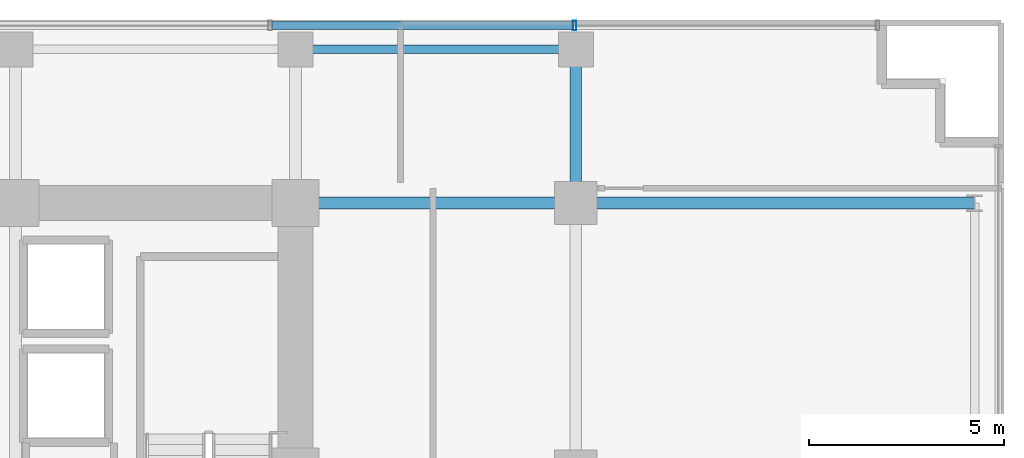
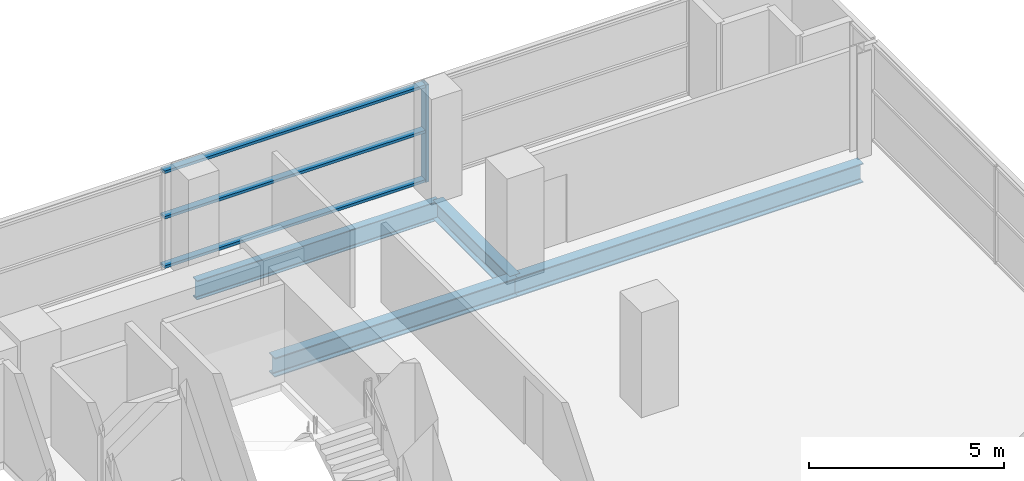
# One storey, part 21 of 31: 4 beams, 4 members, 1 element without a shape of its own.
"""IFC4 building model written with IfcOpenShell, lengths in metres."""

from ifc_helpers import new_model, si_unit, direction, frame, origin, origin_2d, place, context, subcontext, project, spatial, hollow_rectangle, i_section, extrude, source, transform, mapped, material, layer, layer_set, material_profile, profile_set, type_object, element, aggregate, save


model = new_model("IFC4")

# Units and contexts
model_context = context("Model", 3, precision=1e-05, world=origin(), true_north=direction((0.0, 1.0)))
body_context = subcontext(model_context, "Body", "Model", "MODEL_VIEW")
ifc_project = project(units=[si_unit("LENGTHUNIT", "METRE"), si_unit("AREAUNIT", "SQUARE_METRE"), si_unit("VOLUMEUNIT", "CUBIC_METRE"), si_unit("PLANEANGLEUNIT", "RADIAN"), si_unit("MASSUNIT", "GRAM", prefix="KILO")], contexts=[model_context])

# Site, building, storey
site_placement = place(None, origin())
site = spatial("IfcSite", under=ifc_project, at=site_placement, CompositionType="ELEMENT")
building_placement = place(site_placement, origin())
building = spatial("IfcBuilding", under=site, at=building_placement, Name="Zarnakvel Exchange Tower", CompositionType="ELEMENT")
storey_placement = place(building_placement, frame((0.0, 0.0, 60.39990234375)))
storey = spatial("IfcBuildingStorey", under=building, at=storey_placement, Name="L16", CompositionType="ELEMENT", Elevation=60.39990234375)

# Beams
ifc_material_1 = material(Name="Steel S355", Category="steel")
ifc_material_profile_1 = material_profile(ifc_material_1, i_section(OverallWidth=0.300048828125, OverallDepth=0.60009765625, WebThickness=0.015380859375, FlangeThickness=0.030029296875, FilletRadius=0.027099609375, at=origin_2d()))
ifc_profile_set_1 = profile_set([ifc_material_profile_1], Name="Steel S355")
beam_type_1 = type_object("IfcBeamType", Name="G-04", PredefinedType="BEAM", material=ifc_profile_set_1)
beam_1_placement = place(storey_placement, frame((14.39990234375, 13.5, -0.52490234375), z_axis=(1.0, 0.0, 0.0), x_axis=(0.0, 1.0, 0.0)))
element("IfcBeam", 1, at=beam_1_placement, inside=storey, type_object=beam_type_1, Name="L16 Tower E-W Frame Beam", PredefinedType="BEAM", context=body_context, shape_type="SweptSolid", body=[
    extrude(i_section(OverallWidth=0.300048828125, OverallDepth=0.60009765625, WebThickness=0.015380859375, FlangeThickness=0.030029296875, FilletRadius=0.027099609375, at=origin_2d()), origin(), (0.0, 0.0, 1.0), 7.2001953125),
])
beam_2_placement = place(storey_placement, frame((21.60009765625, 13.5, -0.52490234375), z_axis=(1.0, 0.0, 0.0), x_axis=(0.0, 1.0, 0.0)))
element("IfcBeam", 2, at=beam_2_placement, inside=storey, type_object=beam_type_1, Name="L16 Tower E-W Frame Beam", PredefinedType="BEAM", context=body_context, shape_type="SweptSolid", body=[
    extrude(i_section(OverallWidth=0.300048828125, OverallDepth=0.60009765625, WebThickness=0.015380859375, FlangeThickness=0.030029296875, FilletRadius=0.027099609375, at=origin_2d()), origin(), (0.0, 0.0, 1.0), 10.25),
])
beam_3_placement = place(storey_placement, frame((21.60009765625, 13.5, -0.52490234375), z_axis=(0.0, 1.0, 0.0), x_axis=(-1.0, 0.0, 0.0)))
element("IfcBeam", 3, at=beam_3_placement, inside=storey, type_object=beam_type_1, Name="L16 Tower N-S Frame Beam", PredefinedType="BEAM", context=body_context, shape_type="SweptSolid", body=[
    extrude(i_section(OverallWidth=0.300048828125, OverallDepth=0.60009765625, WebThickness=0.015380859375, FlangeThickness=0.030029296875, FilletRadius=0.027099609375, at=origin_2d()), origin(), (0.0, 0.0, 1.0), 3.949951171875),
])
ifc_material_profile_2 = material_profile(ifc_material_1, i_section(OverallWidth=0.219970703125, OverallDepth=0.60009765625, WebThickness=0.011962890625, FlangeThickness=0.01904296875, FilletRadius=0.02392578125, at=origin_2d()))
ifc_profile_set_2 = profile_set([ifc_material_profile_2], Name="Steel S355")
beam_type_2 = type_object("IfcBeamType", Name="SP-01", PredefinedType="SPANDREL", material=ifc_profile_set_2)
beam_4_placement = place(storey_placement, frame((14.39990234375, 17.449951171875, -0.52490234375), z_axis=(1.0, 0.0, 0.0), x_axis=(0.0, 1.0, 0.0)))
element("IfcBeam", 4, at=beam_4_placement, inside=storey, type_object=beam_type_2, Name="L16 Tower E-W Frame Beam", PredefinedType="SPANDREL", context=body_context, shape_type="SweptSolid", body=[
    extrude(i_section(OverallWidth=0.219970703125, OverallDepth=0.60009765625, WebThickness=0.011962890625, FlangeThickness=0.01904296875, FilletRadius=0.02392578125, at=origin_2d()), origin(), (0.0, 0.0, 1.0), 7.2001953125),
])

# Curtain wall, members
ifc_material_2 = material(Name="Architectural Bronze Anodised Aluminium", Category="aluminium")
ifc_layer = layer(ifc_material_2, 0.239990234375)
ifc_layer_set = layer_set([ifc_layer], Name="Architectural Bronze Anodised Aluminium")
curtain_wall_type = type_object("IfcCurtainWallType", Name="CW-02", PredefinedType="NOTDEFINED", material=ifc_layer_set)
curtain_wall_placement = place(storey_placement, origin())
curtain_wall = element("IfcCurtainWall", 5, at=curtain_wall_placement, inside=storey, type_object=curtain_wall_type, Name="L16 Curtain Wall CW-L16-N1 (CW-02)", PredefinedType="NOTDEFINED")
ifc_material_profile_3 = material_profile(ifc_material_2, hollow_rectangle(XDim=0.239990234375, YDim=0.090087890625, WallThickness=0.006103515625, at=origin_2d()))
ifc_profile_set_3 = profile_set([ifc_material_profile_3], Name="Architectural Bronze Anodised Aluminium")
member_type_1 = type_object("IfcMemberType", Name="CWM-02", PredefinedType="MULLION", material=ifc_profile_set_3)
shared_shape_1 = source(origin(), body_context, "Body", "SweptSolid", [
    extrude(hollow_rectangle(XDim=0.239990234375, YDim=0.090087890625, WallThickness=0.006103515625, at=origin_2d()), origin(), (0.0, 0.0, 1.0), 3.05517578125),
])
member_1_placement = place(storey_placement, frame((21.571533203125, 18.06005859375, 0.0), z_axis=(0.0, 0.0, 1.0), x_axis=(0.0, 1.0, 0.0)))
member_1 = element("IfcMember", 6, at=member_1_placement, type_object=member_type_1, Name="CW-02 mullion 7", PredefinedType="MULLION", context=body_context, shape_type="MappedRepresentation", body=[
    mapped(shared_shape_1, transform((0.0, 0.0, 0.0), x_axis=(1.0, 0.0, 0.0), y_axis=(0.0, 1.0, 0.0), z_axis=(0.0, 0.0, 1.0), scale=1.0)),
])
ifc_material_profile_4 = material_profile(ifc_material_2, hollow_rectangle(XDim=0.199951171875, YDim=0.0849609375, WallThickness=0.0048828125, at=origin_2d()))
ifc_profile_set_4 = profile_set([ifc_material_profile_4], Name="Architectural Bronze Anodised Aluminium")
member_type_2 = type_object("IfcMemberType", Name="CWT-02", PredefinedType="USERDEFINED", material=ifc_profile_set_4)
shared_shape_2 = source(origin(), body_context, "Body", "SweptSolid", [
    extrude(hollow_rectangle(XDim=0.199951171875, YDim=0.0849609375, WallThickness=0.0048828125, at=origin_2d()), origin(), (0.0, 0.0, 1.0), 7.738525390625),
])
member_2_placement = place(storey_placement, frame((13.787841796875, 18.06005859375, 0.04248046875), z_axis=(1.0, 0.0, 0.0), x_axis=(0.0, 1.0, 0.0)))
member_2 = element("IfcMember", 7, at=member_2_placement, type_object=member_type_2, Name="CW-02 transom 6.1", ObjectType="TRANSOM", PredefinedType="USERDEFINED", context=body_context, shape_type="MappedRepresentation", body=[
    mapped(shared_shape_2, transform((0.0, 0.0, 0.0), x_axis=(1.0, 0.0, 0.0), y_axis=(0.0, 1.0, 0.0), z_axis=(0.0, 0.0, 1.0), scale=1.0)),
])
member_3_placement = place(storey_placement, frame((13.787841796875, 18.06005859375, 1.588623046875), z_axis=(1.0, 0.0, 0.0), x_axis=(0.0, 1.0, 0.0)))
member_3 = element("IfcMember", 8, at=member_3_placement, type_object=member_type_2, Name="CW-02 transom 6.2", ObjectType="TRANSOM", PredefinedType="USERDEFINED", context=body_context, shape_type="MappedRepresentation", body=[
    mapped(shared_shape_2, transform((0.0, 0.0, 0.0), x_axis=(1.0, 0.0, 0.0), y_axis=(0.0, 1.0, 0.0), z_axis=(0.0, 0.0, 1.0), scale=1.0)),
])
member_4_placement = place(storey_placement, frame((13.787841796875, 18.06005859375, 3.0126953125), z_axis=(1.0, 0.0, 0.0), x_axis=(0.0, 1.0, 0.0)))
member_4 = element("IfcMember", 9, at=member_4_placement, type_object=member_type_2, Name="CW-02 transom 6.3", ObjectType="TRANSOM", PredefinedType="USERDEFINED", context=body_context, shape_type="MappedRepresentation", body=[
    mapped(shared_shape_2, transform((0.0, 0.0, 0.0), x_axis=(1.0, 0.0, 0.0), y_axis=(0.0, 1.0, 0.0), z_axis=(0.0, 0.0, 1.0), scale=1.0)),
])
aggregate(curtain_wall, [member_1, member_2, member_3, member_4])

save(model, "model.ifc")
